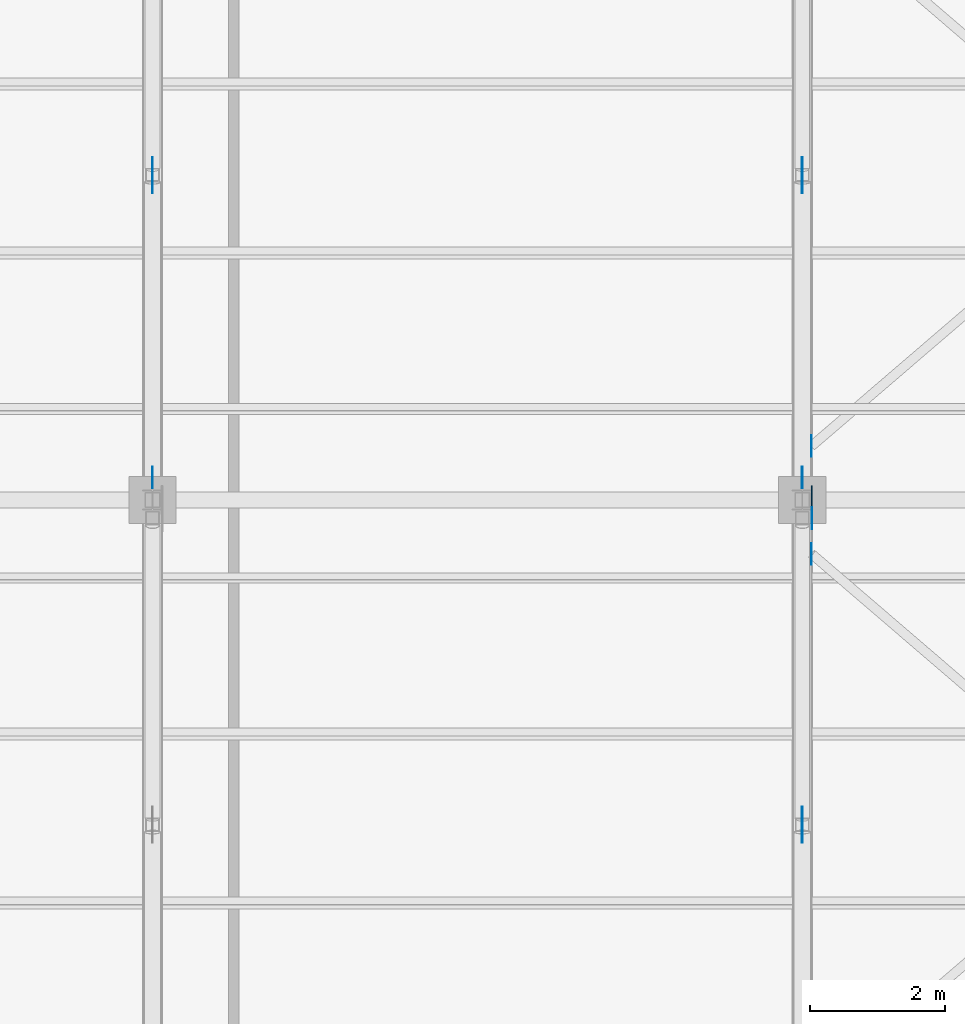
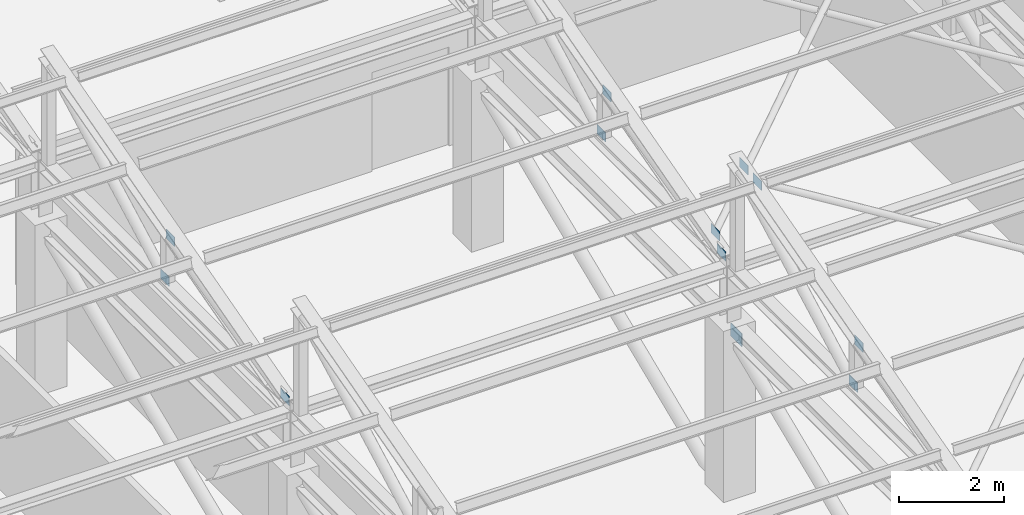
# One storey, part 46 of 71: 12 plates.
"""IFC4 building model written with IfcOpenShell, lengths in metres."""

import ifcopenshell
import ifcopenshell.guid

model = None  # the IFC model being written
_history = None  # IfcOwnerHistory: only IFC2X3 demands one
_inside = {}  # id of a spatial element -> (the spatial element, [elements in it])
_under = {}  # id of a project, library or spatial element -> (it, [spatial elements below it])
_declared = {}  # id of a project -> (the project, [libraries it declares])
_typed = {}  # id of a type object -> (the type object, [elements of that type])
_made_of = {}  # id of a material, layer set ... -> (it, [elements and type objects made of it])


def new_model(schema):
    """Start an empty IFC model of exactly this schema.

    Asked for "IFC4X3", IfcOpenShell would pick the latest addendum, in which some entities
    have other attributes; the version numbers below select the first issue.
    IFC2X3 requires an IfcOwnerHistory on every rooted entity: one is made here for all.
    """
    global model, _history
    if schema == "IFC4X3":
        model = ifcopenshell.file(schema_version=(4, 3, 0, 0))
    else:
        model = ifcopenshell.file(schema=schema)
    _inside.clear()
    _under.clear()
    _declared.clear()
    _typed.clear()
    _made_of.clear()
    _history = None
    if model.schema == "IFC2X3":
        org = make("IfcOrganization", Name="unknown")
        user = make(
            "IfcPersonAndOrganization",
            ThePerson=make("IfcPerson", FamilyName="unknown"),
            TheOrganization=org,
        )
        app = make(
            "IfcApplication",
            ApplicationDeveloper=org,
            Version="unknown",
            ApplicationFullName="unknown",
            ApplicationIdentifier="unknown",
        )
        _history = make(
            "IfcOwnerHistory",
            OwningUser=user,
            OwningApplication=app,
            ChangeAction="ADDED",
            CreationDate=0,
        )
    return model


def make(cls, **values):
    """One entity of the class cls with the attributes given. An attribute that is None is left unset."""
    return model.create_entity(
        cls, **{name: value for name, value in values.items() if value is not None}
    )


def rooted(cls, **values):
    """An entity with a GlobalId (a new one), such as an element, a storey or a relation."""
    return make(cls, GlobalId=ifcopenshell.guid.new(), OwnerHistory=_history, **values)


def si_unit(unit_type, name, prefix=None):
    """IfcSIUnit, for example si_unit("LENGTHUNIT", "METRE", prefix="MILLI")."""
    return make("IfcSIUnit", UnitType=unit_type, Prefix=prefix, Name=name)


def assignment(units):
    """IfcUnitAssignment: the units of a project."""
    return None if units is None else make("IfcUnitAssignment", Units=units)


def point(xyz):
    """IfcCartesianPoint."""
    return None if xyz is None else make("IfcCartesianPoint", Coordinates=xyz)


def direction(xyz):
    """IfcDirection."""
    return None if xyz is None else make("IfcDirection", DirectionRatios=xyz)


def frame(location, z_axis=None, x_axis=None):
    """IfcAxis2Placement3D, a coordinate frame: its origin and axes. An axis left out is left unset."""
    return make(
        "IfcAxis2Placement3D",
        Location=point(location),
        Axis=direction(z_axis),
        RefDirection=direction(x_axis),
    )


def frame_2d(location, x_axis=None):
    """IfcAxis2Placement2D, a coordinate frame in the plane: its origin and x axis."""
    return make(
        "IfcAxis2Placement2D", Location=point(location), RefDirection=direction(x_axis)
    )


def origin():
    """The frame at (0, 0, 0) with its axes left unset."""
    return frame((0.0, 0.0, 0.0))


def origin_2d():
    """The frame at (0, 0) in the plane with its x axis left unset."""
    return frame_2d((0.0, 0.0))


def place(relative_to, where):
    """IfcLocalPlacement: puts the frame where relative to a parent placement (None: the world)."""
    return make(
        "IfcLocalPlacement", PlacementRelTo=relative_to, RelativePlacement=where
    )


def context(
    kind, dimensions, precision=None, world=None, true_north=None, identifier=None
):
    """IfcGeometricRepresentationContext, for example the 3D "Model" context."""
    return make(
        "IfcGeometricRepresentationContext",
        ContextIdentifier=identifier,
        ContextType=kind,
        CoordinateSpaceDimension=dimensions,
        Precision=precision,
        WorldCoordinateSystem=world,
        TrueNorth=true_north,
    )


def subcontext(parent, identifier, kind, view, scale=None):
    """IfcGeometricRepresentationSubContext, for example "Body" below "Model"."""
    return make(
        "IfcGeometricRepresentationSubContext",
        ContextIdentifier=identifier,
        ContextType=kind,
        ParentContext=parent,
        TargetScale=scale,
        TargetView=view,
    )


def project(units=None, contexts=None):
    """IfcProject with its units and contexts."""
    return rooted(
        "IfcProject",
        Name="project",
        RepresentationContexts=contexts,
        UnitsInContext=assignment(units),
    )


def spatial(cls, under=None, at=None, **own):
    """A site, building, storey or space (cls), placed at a placement, below another one or the project."""
    s = rooted(cls, ObjectPlacement=at, **own)
    if under is not None:
        _under.setdefault(under.id(), (under, []))[1].append(s)
    return s


def profile(cls, at=None, kind="AREA", **sizes):
    """A parametric profile (cls). Its sizes go by their IFC names, for example OverallWidth=200.0."""
    return make(cls, ProfileType=kind, Position=at, **sizes)


def rectangle(**sizes):
    """IfcRectangleProfileDef."""
    return profile("IfcRectangleProfileDef", **sizes)


def extrude(swept, where, along, depth):
    """IfcExtrudedAreaSolid: the profile swept, set in the frame where, extruded along a direction by depth."""
    return make(
        "IfcExtrudedAreaSolid",
        SweptArea=swept,
        Position=where,
        ExtrudedDirection=direction(along),
        Depth=depth,
    )


def shape(context_of_items, identifier, shape_type, items):
    """IfcShapeRepresentation: the items that make up one representation, for example the "Body"."""
    return make(
        "IfcShapeRepresentation",
        ContextOfItems=context_of_items,
        RepresentationIdentifier=identifier,
        RepresentationType=shape_type,
        Items=items,
    )


def material(Name=None, Category=None):
    """IfcMaterial."""
    return make("IfcMaterial", Name=Name, Category=Category)


def layer(
    of_material, thickness, ventilated=None, Name=None, Category=None, Priority=None
):
    """IfcMaterialLayer: one layer of a wall or slab, of a material (None: an air gap)."""
    return make(
        "IfcMaterialLayer",
        Material=of_material,
        LayerThickness=thickness,
        IsVentilated=ventilated,
        Name=Name,
        Category=Category,
        Priority=Priority,
    )


def layer_set(layers, Name=None):
    """IfcMaterialLayerSet."""
    return make("IfcMaterialLayerSet", MaterialLayers=layers, LayerSetName=Name)


def made_of(thing, what):
    """Note that an element or type object is made of a material, layer set ...; save() writes the relation."""
    if what is not None:
        _made_of.setdefault(what.id(), (what, []))[1].append(thing)
    return thing


def type_object(cls, material=None, **own):
    """A type object (cls), such as IfcWallType, which elements share."""
    return made_of(rooted(cls, **own), material)


def element(
    cls,
    number,
    at=None,
    inside=None,
    cuts=None,
    type_object=None,
    material=None,
    context=None,
    identifier="Body",
    shape_type=None,
    held_by="IfcProductDefinitionShape",
    body=None,
    shapes=None,
    **own,
):
    """One element of the class cls, such as IfcWall. Its Tag is "e" and its number.

    at: its placement. inside: the storey or other place that contains it. cuts: it is an
    opening in that element (IfcRelVoidsElement). A single representation is given by context,
    identifier, shape_type and body (its items); several are given by shapes. held_by: the class
    of the entity that holds the representations. save() writes the other relations.
    """
    e = rooted(cls, Tag="e%d" % number, ObjectPlacement=at, **own)
    if body is not None:
        shapes = [shape(context, identifier, shape_type, body)]
    if shapes is not None:
        e.Representation = make(held_by, Representations=shapes)
    if inside is not None:
        _inside.setdefault(inside.id(), (inside, []))[1].append(e)
    if cuts is not None:
        rooted(
            "IfcRelVoidsElement", RelatingBuildingElement=cuts, RelatedOpeningElement=e
        )
    if type_object is not None:
        _typed.setdefault(type_object.id(), (type_object, []))[1].append(e)
    return made_of(e, material)


def aggregate(whole, parts):
    """IfcRelAggregates: a whole, such as a stair, and the parts it consists of."""
    return rooted("IfcRelAggregates", RelatingObject=whole, RelatedObjects=parts)


def save(model, path):
    """Write the relations noted so far, then the file.

    IfcRelAggregates (storeys below a building ...), IfcRelContainedInSpatialStructure (elements
    in a storey), IfcRelDefinesByType, IfcRelAssociatesMaterial and IfcRelDeclares: one each for
    every whole, place, type object, material and project.
    """
    for whole, parts in _under.values():
        aggregate(whole, parts)
    for where, things in _inside.values():
        rooted(
            "IfcRelContainedInSpatialStructure",
            RelatedElements=things,
            RelatingStructure=where,
        )
    for kind, things in _typed.values():
        rooted("IfcRelDefinesByType", RelatedObjects=things, RelatingType=kind)
    for what, things in _made_of.values():
        rooted("IfcRelAssociatesMaterial", RelatedObjects=things, RelatingMaterial=what)
    for by, libraries in _declared.values():
        rooted("IfcRelDeclares", RelatingContext=by, RelatedDefinitions=libraries)
    model.write(path)


model = new_model("IFC4")

# Units and contexts
model_context = context("Model", 3, precision=1e-05, world=origin(), true_north=direction((0.0, 1.0)))
body_context = subcontext(model_context, "Body", "Model", "MODEL_VIEW")
ifc_project = project(units=[si_unit("LENGTHUNIT", "METRE"), si_unit("AREAUNIT", "SQUARE_METRE"), si_unit("VOLUMEUNIT", "CUBIC_METRE"), si_unit("PLANEANGLEUNIT", "RADIAN"), si_unit("MASSUNIT", "GRAM", prefix="KILO")], contexts=[model_context])

# Site, building, storey
site_placement = place(None, origin())
site = spatial("IfcSite", under=ifc_project, at=site_placement, CompositionType="ELEMENT")
building_placement = place(site_placement, origin())
building = spatial("IfcBuilding", under=site, at=building_placement, Name="Bempovik Park Faculty of Sciences", CompositionType="ELEMENT")
storey_placement = place(building_placement, frame((0.0, 0.0, 14.10009765625)))
storey = spatial("IfcBuildingStorey", under=building, at=storey_placement, Name="L03", CompositionType="ELEMENT", Elevation=14.10009765625)

# Plates
ifc_material = material(Name="Steel S355", Category="steel")
ifc_layer_1 = layer(ifc_material, 0.01806640625)
ifc_layer_set_1 = layer_set([ifc_layer_1], Name="Steel S355")
plate_type_1 = type_object("IfcPlateType", Name="PL-22 Steel Plate 420x300x18", PredefinedType="SHEET", material=ifc_layer_set_1)
plate_placement = place(storey_placement, frame((108.139892578125, 29.39990234375, 3.3701171875), z_axis=(0.0, 0.0, 1.0), x_axis=(1.0, 0.0, 0.0)))
element("IfcPlate", 1, at=plate_placement, inside=storey, type_object=plate_type_1, Name="Cantilever Gusset Plate CT6-4-T", PredefinedType="SHEET", context=body_context, shape_type="SweptSolid", body=[
    extrude(rectangle(XDim=0.01806640625, YDim=0.419921875, at=origin_2d()), origin(), (0.0, 0.0, 1.0), 0.300048828125),
])
ifc_layer_2 = layer(ifc_material, 0.011962890625)
ifc_layer_set_2 = layer_set([ifc_layer_2], Name="Steel S355")
plate_type_2 = type_object("IfcPlateType", Name="PL-26 Steel Plate 320x220x12", PredefinedType="SHEET", material=ifc_layer_set_2)
for number, where, z_axis, x_axis, name in (
    (2, (108.14404296875, 29.1298828125, 7.49462890625), (0.0, 0.0, 1.0), (1.0, 0.0, 0.0), "Sawtooth Ridge Gusset Plate V1-B1-108.0"),
    (3, (108.135986328125, 28.60009765625, 7.46044921875), (0.0, 0.0, 1.0), (1.0, 0.0, 0.0), "Sawtooth X-Brace End Gusset V1-B1-108.0-3"),
    (4, (108.135986328125, 30.199951171875, 5.31640625), (0.0, 0.0, 1.0), (1.0, 0.0, 0.0), "Sawtooth X-Brace End Gusset V1-B2-108.0-1"),
    (5, (108.0, 24.4951171875, 6.228515625), (0.0, 0.0, 1.0), (1.0, 0.0, 0.0), "Brace/Strut End Gusset Plate SAW-V1-B1-D1-1080-E2"),
    (6, (108.0, 24.705078125, 5.17578125), (0.0, 0.0, 1.0), (1.0, 0.0, 0.0), "Brace/Strut End Gusset Plate SAW-V1-B1-D2-1080-E1"),
    (7, (98.39990234375, 29.72998046875, 5.17578125), (0.0, 0.0, 1.0), (1.0, 0.0, 0.0), "Brace/Strut End Gusset Plate SAW-V1-B2-D1-984-E1"),
    (8, (98.39990234375, 34.094970703125, 6.228515625), (0.0, 0.0, 1.0), (1.0, 0.0, 0.0), "Brace/Strut End Gusset Plate SAW-V1-B2-D1-984-E2"),
    (9, (98.39990234375, 34.304931640625, 5.17578125), (0.0, 0.0, 1.0), (1.0, 0.0, 0.0), "Brace/Strut End Gusset Plate SAW-V1-B2-D2-984-E1"),
    (10, (108.0, 29.72998046875, 5.17578125), (0.0, 0.0, 1.0), (1.0, 0.0, 0.0), "Brace/Strut End Gusset Plate SAW-V1-B2-D1-1080-E1"),
    (11, (108.0, 34.094970703125, 6.228515625), (0.0, 0.0, 1.0), (1.0, 0.0, 0.0), "Brace/Strut End Gusset Plate SAW-V1-B2-D1-1080-E2"),
    (12, (108.0, 34.304931640625, 5.17578125), (0.0, 0.0, 1.0), (1.0, 0.0, 0.0), "Brace/Strut End Gusset Plate SAW-V1-B2-D2-1080-E1"),
):
    element("IfcPlate", number, at=place(storey_placement, frame(where, z_axis=z_axis, x_axis=x_axis)), inside=storey, type_object=plate_type_2, Name=name, PredefinedType="SHEET", context=body_context, shape_type="SweptSolid", body=[
        extrude(rectangle(XDim=0.011962890625, YDim=0.320068359375, at=origin_2d()), origin(), (0.0, 0.0, 1.0), 0.219970703125),
    ])

save(model, "model.ifc")
